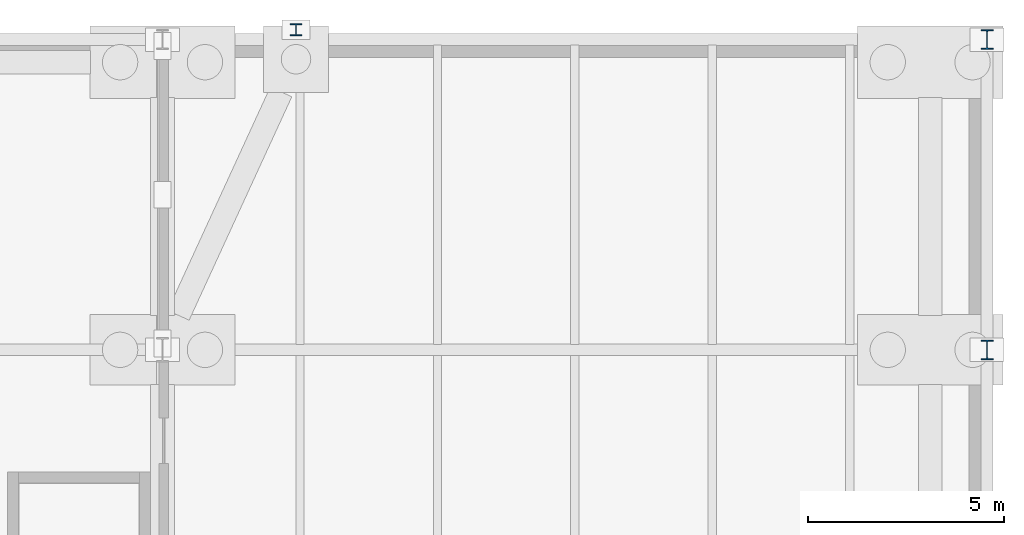
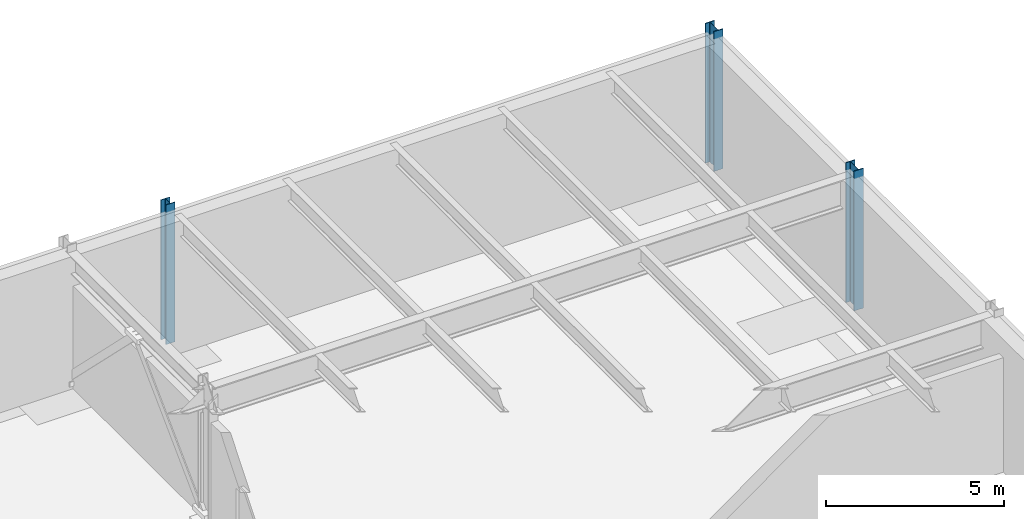
# One storey, part 27 of 50: 3 columns.
"""IFC4 building model written with IfcOpenShell, lengths in metres."""

import ifcopenshell
import ifcopenshell.guid

model = None  # the IFC model being written
_history = None  # IfcOwnerHistory: only IFC2X3 demands one
_inside = {}  # id of a spatial element -> (the spatial element, [elements in it])
_under = {}  # id of a project, library or spatial element -> (it, [spatial elements below it])
_declared = {}  # id of a project -> (the project, [libraries it declares])
_typed = {}  # id of a type object -> (the type object, [elements of that type])
_made_of = {}  # id of a material, layer set ... -> (it, [elements and type objects made of it])


def new_model(schema):
    """Start an empty IFC model of exactly this schema.

    Asked for "IFC4X3", IfcOpenShell would pick the latest addendum, in which some entities
    have other attributes; the version numbers below select the first issue.
    IFC2X3 requires an IfcOwnerHistory on every rooted entity: one is made here for all.
    """
    global model, _history
    if schema == "IFC4X3":
        model = ifcopenshell.file(schema_version=(4, 3, 0, 0))
    else:
        model = ifcopenshell.file(schema=schema)
    _inside.clear()
    _under.clear()
    _declared.clear()
    _typed.clear()
    _made_of.clear()
    _history = None
    if model.schema == "IFC2X3":
        org = make("IfcOrganization", Name="unknown")
        user = make(
            "IfcPersonAndOrganization",
            ThePerson=make("IfcPerson", FamilyName="unknown"),
            TheOrganization=org,
        )
        app = make(
            "IfcApplication",
            ApplicationDeveloper=org,
            Version="unknown",
            ApplicationFullName="unknown",
            ApplicationIdentifier="unknown",
        )
        _history = make(
            "IfcOwnerHistory",
            OwningUser=user,
            OwningApplication=app,
            ChangeAction="ADDED",
            CreationDate=0,
        )
    return model


def make(cls, **values):
    """One entity of the class cls with the attributes given. An attribute that is None is left unset."""
    return model.create_entity(
        cls, **{name: value for name, value in values.items() if value is not None}
    )


def rooted(cls, **values):
    """An entity with a GlobalId (a new one), such as an element, a storey or a relation."""
    return make(cls, GlobalId=ifcopenshell.guid.new(), OwnerHistory=_history, **values)


def si_unit(unit_type, name, prefix=None):
    """IfcSIUnit, for example si_unit("LENGTHUNIT", "METRE", prefix="MILLI")."""
    return make("IfcSIUnit", UnitType=unit_type, Prefix=prefix, Name=name)


def assignment(units):
    """IfcUnitAssignment: the units of a project."""
    return None if units is None else make("IfcUnitAssignment", Units=units)


def point(xyz):
    """IfcCartesianPoint."""
    return None if xyz is None else make("IfcCartesianPoint", Coordinates=xyz)


def direction(xyz):
    """IfcDirection."""
    return None if xyz is None else make("IfcDirection", DirectionRatios=xyz)


def frame(location, z_axis=None, x_axis=None):
    """IfcAxis2Placement3D, a coordinate frame: its origin and axes. An axis left out is left unset."""
    return make(
        "IfcAxis2Placement3D",
        Location=point(location),
        Axis=direction(z_axis),
        RefDirection=direction(x_axis),
    )


def frame_2d(location, x_axis=None):
    """IfcAxis2Placement2D, a coordinate frame in the plane: its origin and x axis."""
    return make(
        "IfcAxis2Placement2D", Location=point(location), RefDirection=direction(x_axis)
    )


def origin():
    """The frame at (0, 0, 0) with its axes left unset."""
    return frame((0.0, 0.0, 0.0))


def origin_2d():
    """The frame at (0, 0) in the plane with its x axis left unset."""
    return frame_2d((0.0, 0.0))


def place(relative_to, where):
    """IfcLocalPlacement: puts the frame where relative to a parent placement (None: the world)."""
    return make(
        "IfcLocalPlacement", PlacementRelTo=relative_to, RelativePlacement=where
    )


def context(
    kind, dimensions, precision=None, world=None, true_north=None, identifier=None
):
    """IfcGeometricRepresentationContext, for example the 3D "Model" context."""
    return make(
        "IfcGeometricRepresentationContext",
        ContextIdentifier=identifier,
        ContextType=kind,
        CoordinateSpaceDimension=dimensions,
        Precision=precision,
        WorldCoordinateSystem=world,
        TrueNorth=true_north,
    )


def subcontext(parent, identifier, kind, view, scale=None):
    """IfcGeometricRepresentationSubContext, for example "Body" below "Model"."""
    return make(
        "IfcGeometricRepresentationSubContext",
        ContextIdentifier=identifier,
        ContextType=kind,
        ParentContext=parent,
        TargetScale=scale,
        TargetView=view,
    )


def project(units=None, contexts=None):
    """IfcProject with its units and contexts."""
    return rooted(
        "IfcProject",
        Name="project",
        RepresentationContexts=contexts,
        UnitsInContext=assignment(units),
    )


def spatial(cls, under=None, at=None, **own):
    """A site, building, storey or space (cls), placed at a placement, below another one or the project."""
    s = rooted(cls, ObjectPlacement=at, **own)
    if under is not None:
        _under.setdefault(under.id(), (under, []))[1].append(s)
    return s


def profile(cls, at=None, kind="AREA", **sizes):
    """A parametric profile (cls). Its sizes go by their IFC names, for example OverallWidth=200.0."""
    return make(cls, ProfileType=kind, Position=at, **sizes)


def i_section(**sizes):
    """IfcIShapeProfileDef."""
    return profile("IfcIShapeProfileDef", **sizes)


def extrude(swept, where, along, depth):
    """IfcExtrudedAreaSolid: the profile swept, set in the frame where, extruded along a direction by depth."""
    return make(
        "IfcExtrudedAreaSolid",
        SweptArea=swept,
        Position=where,
        ExtrudedDirection=direction(along),
        Depth=depth,
    )


def shape(context_of_items, identifier, shape_type, items):
    """IfcShapeRepresentation: the items that make up one representation, for example the "Body"."""
    return make(
        "IfcShapeRepresentation",
        ContextOfItems=context_of_items,
        RepresentationIdentifier=identifier,
        RepresentationType=shape_type,
        Items=items,
    )


def material(Name=None, Category=None):
    """IfcMaterial."""
    return make("IfcMaterial", Name=Name, Category=Category)


def material_profile(
    of_material, cross_section, Name=None, Category=None, Priority=None
):
    """IfcMaterialProfile: a cross section and its material."""
    return make(
        "IfcMaterialProfile",
        Name=Name,
        Material=of_material,
        Profile=cross_section,
        Priority=Priority,
        Category=Category,
    )


def profile_set(profiles, Name=None, composite=None):
    """IfcMaterialProfileSet."""
    return make(
        "IfcMaterialProfileSet",
        Name=Name,
        MaterialProfiles=profiles,
        CompositeProfile=composite,
    )


def made_of(thing, what):
    """Note that an element or type object is made of a material, layer set ...; save() writes the relation."""
    if what is not None:
        _made_of.setdefault(what.id(), (what, []))[1].append(thing)
    return thing


def type_object(cls, material=None, **own):
    """A type object (cls), such as IfcWallType, which elements share."""
    return made_of(rooted(cls, **own), material)


def element(
    cls,
    number,
    at=None,
    inside=None,
    cuts=None,
    type_object=None,
    material=None,
    context=None,
    identifier="Body",
    shape_type=None,
    held_by="IfcProductDefinitionShape",
    body=None,
    shapes=None,
    **own,
):
    """One element of the class cls, such as IfcWall. Its Tag is "e" and its number.

    at: its placement. inside: the storey or other place that contains it. cuts: it is an
    opening in that element (IfcRelVoidsElement). A single representation is given by context,
    identifier, shape_type and body (its items); several are given by shapes. held_by: the class
    of the entity that holds the representations. save() writes the other relations.
    """
    e = rooted(cls, Tag="e%d" % number, ObjectPlacement=at, **own)
    if body is not None:
        shapes = [shape(context, identifier, shape_type, body)]
    if shapes is not None:
        e.Representation = make(held_by, Representations=shapes)
    if inside is not None:
        _inside.setdefault(inside.id(), (inside, []))[1].append(e)
    if cuts is not None:
        rooted(
            "IfcRelVoidsElement", RelatingBuildingElement=cuts, RelatedOpeningElement=e
        )
    if type_object is not None:
        _typed.setdefault(type_object.id(), (type_object, []))[1].append(e)
    return made_of(e, material)


def aggregate(whole, parts):
    """IfcRelAggregates: a whole, such as a stair, and the parts it consists of."""
    return rooted("IfcRelAggregates", RelatingObject=whole, RelatedObjects=parts)


def save(model, path):
    """Write the relations noted so far, then the file.

    IfcRelAggregates (storeys below a building ...), IfcRelContainedInSpatialStructure (elements
    in a storey), IfcRelDefinesByType, IfcRelAssociatesMaterial and IfcRelDeclares: one each for
    every whole, place, type object, material and project.
    """
    for whole, parts in _under.values():
        aggregate(whole, parts)
    for where, things in _inside.values():
        rooted(
            "IfcRelContainedInSpatialStructure",
            RelatedElements=things,
            RelatingStructure=where,
        )
    for kind, things in _typed.values():
        rooted("IfcRelDefinesByType", RelatedObjects=things, RelatingType=kind)
    for what, things in _made_of.values():
        rooted("IfcRelAssociatesMaterial", RelatedObjects=things, RelatingMaterial=what)
    for by, libraries in _declared.values():
        rooted("IfcRelDeclares", RelatingContext=by, RelatedDefinitions=libraries)
    model.write(path)


model = new_model("IFC4")

# Units and contexts
model_context = context("Model", 3, precision=1e-05, world=origin(), true_north=direction((0.0, 1.0)))
body_context = subcontext(model_context, "Body", "Model", "MODEL_VIEW")
ifc_project = project(units=[si_unit("LENGTHUNIT", "METRE"), si_unit("AREAUNIT", "SQUARE_METRE"), si_unit("VOLUMEUNIT", "CUBIC_METRE"), si_unit("PLANEANGLEUNIT", "RADIAN"), si_unit("MASSUNIT", "GRAM", prefix="KILO")], contexts=[model_context])

# Site, building, storey
site_placement = place(None, origin())
site = spatial("IfcSite", under=ifc_project, at=site_placement, CompositionType="ELEMENT")
building_placement = place(site_placement, origin())
building = spatial("IfcBuilding", under=site, at=building_placement, Name="Varnklinge Art Gallery", CompositionType="ELEMENT")
storey_placement = place(building_placement, frame((0.0, 0.0, -4.800048828125)))
storey = spatial("IfcBuildingStorey", under=building, at=storey_placement, Name="B01", CompositionType="ELEMENT", Elevation=-4.800048828125)

# Columns
ifc_material_1 = material(Name="Steel S355", Category="steel")
ifc_material_profile_1 = material_profile(ifc_material_1, i_section(OverallWidth=0.300048828125, OverallDepth=0.300048828125, WebThickness=0.010986328125, FlangeThickness=0.01904296875, FilletRadius=0.027099609375, at=origin_2d()), Name="HEB 300")
ifc_profile_set_1 = profile_set([ifc_material_profile_1], Name="Steel S355")
column_type_1 = type_object("IfcColumnType", Name="COL-10", PredefinedType="COLUMN", material=ifc_profile_set_1)
column_placement = place(storey_placement, frame((146.800048828125, 113.75, 0.0), z_axis=(0.0, 0.0, 1.0), x_axis=(1.0, 0.0, 0.0)))
element("IfcColumn", 1, at=column_placement, inside=storey, type_object=column_type_1, Name="B01 Column APRX-C4", PredefinedType="COLUMN", context=body_context, shape_type="SweptSolid", body=[
    extrude(i_section(OverallWidth=0.300048828125, OverallDepth=0.300048828125, WebThickness=0.010986328125, FlangeThickness=0.01904296875, FilletRadius=0.027099609375, at=origin_2d()), origin(), (0.0, 0.0, 1.0), 4.800048828125),
])
ifc_material_2 = material(Name="Steel S355", Category="steel")
ifc_material_profile_2 = material_profile(ifc_material_2, i_section(OverallWidth=0.300048828125, OverallDepth=0.5, WebThickness=0.014404296875, FlangeThickness=0.028076171875, FilletRadius=0.027099609375, at=origin_2d()), Name="HEB 500")
ifc_profile_set_2 = profile_set([ifc_material_profile_2], Name="Steel S355")
column_type_2 = type_object("IfcColumnType", Name="COL-E1", PredefinedType="COLUMN", material=ifc_profile_set_2)
for number, where, z_axis, x_axis, name in (
    (2, (164.39990234375, 105.60009765625, 0.0), (0.0, 0.0, 1.0), (1.0, 0.0, 0.0), "B01 Column V1C-4-7"),
    (3, (164.39990234375, 113.5, 0.0), (0.0, 0.0, 1.0), (1.0, 0.0, 0.0), "B01 Column V1C-4-8"),
):
    element("IfcColumn", number, at=place(storey_placement, frame(where, z_axis=z_axis, x_axis=x_axis)), inside=storey, type_object=column_type_2, Name=name, PredefinedType="COLUMN", context=body_context, shape_type="SweptSolid", body=[
        extrude(i_section(OverallWidth=0.300048828125, OverallDepth=0.5, WebThickness=0.014404296875, FlangeThickness=0.028076171875, FilletRadius=0.027099609375, at=origin_2d()), origin(), (0.0, 0.0, 1.0), 4.800048828125),
    ])

save(model, "model.ifc")
